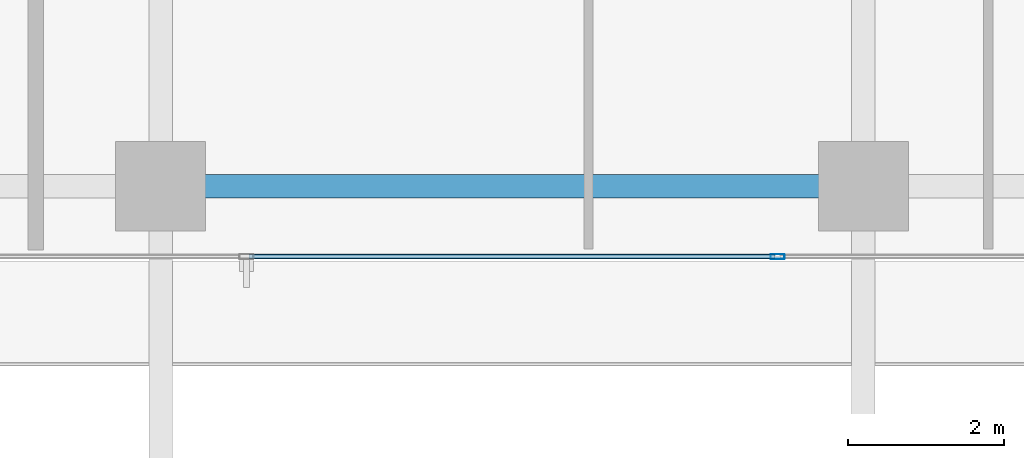
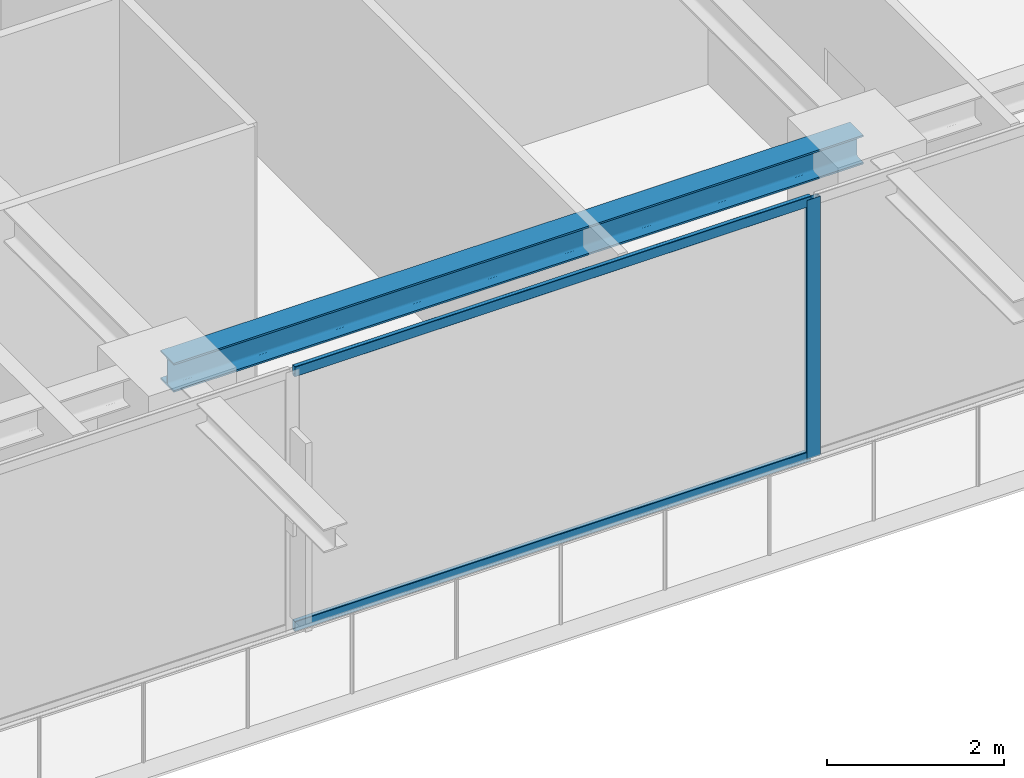
# One storey, part 6 of 40: 3 members, 1 beam, 1 element without a shape of its own.
"""IFC4 building model written with IfcOpenShell, lengths in metres."""

from ifc_helpers import new_model, si_unit, direction, frame, origin, origin_2d, place, context, subcontext, project, spatial, hollow_rectangle, i_section, extrude, source, transform, mapped, material, layer, layer_set, material_profile, profile_set, type_object, element, aggregate, save


model = new_model("IFC4")

# Units and contexts
model_context = context("Model", 3, precision=1e-05, world=origin(), true_north=direction((0.0, 1.0)))
body_context = subcontext(model_context, "Body", "Model", "MODEL_VIEW")
ifc_project = project(units=[si_unit("LENGTHUNIT", "METRE"), si_unit("AREAUNIT", "SQUARE_METRE"), si_unit("VOLUMEUNIT", "CUBIC_METRE"), si_unit("PLANEANGLEUNIT", "RADIAN"), si_unit("MASSUNIT", "GRAM", prefix="KILO")], contexts=[model_context])

# Site, building, storey
site_placement = place(None, origin())
site = spatial("IfcSite", under=ifc_project, at=site_placement, CompositionType="ELEMENT")
building_placement = place(site_placement, origin())
building = spatial("IfcBuilding", under=site, at=building_placement, Name="Serunith Strait Residences", CompositionType="ELEMENT")
storey_placement = place(building_placement, frame((0.0, 0.0, 252.800048828125)))
storey = spatial("IfcBuildingStorey", under=building, at=storey_placement, Name="L63", CompositionType="ELEMENT", Elevation=252.800048828125)

# Beam
ifc_material_1 = material(Name="Steel S355J2", Category="steel")
ifc_material_profile_1 = material_profile(ifc_material_1, i_section(OverallWidth=0.300048828125, OverallDepth=0.39990234375, WebThickness=0.013427734375, FlangeThickness=0.02392578125, FilletRadius=0.027099609375, at=origin_2d()), Name="HEB 400")
ifc_profile_set_1 = profile_set([ifc_material_profile_1], Name="Steel S355J2")
beam_type = type_object("IfcBeamType", Name="BM-HEB400", PredefinedType="BEAM", material=ifc_profile_set_1)
shared_shape_1 = source(origin(), body_context, "Body", "SweptSolid", [
    extrude(i_section(OverallWidth=0.300048828125, OverallDepth=0.39990234375, WebThickness=0.013427734375, FlangeThickness=0.02392578125, FilletRadius=0.027099609375, at=origin_2d()), origin(), (0.0, 0.0, 1.0), 9.0),
])
beam_placement = place(storey_placement, frame((27.89990234375, 2.10009765625, 3.386962890625), z_axis=(1.0, 0.0, 0.0), x_axis=(0.0, 1.0, 0.0)))
element("IfcBeam", 1, at=beam_placement, inside=storey, type_object=beam_type, Name="L63 Perimeter Ring Beam 02", PredefinedType="BEAM", context=body_context, shape_type="MappedRepresentation", body=[
    mapped(shared_shape_1, transform((0.0, 0.0, 0.0), scale=1.0)),
])

# Curtain wall, members
ifc_material_2 = material(Name="Pale-Champagne Anodised Aluminium", Category="aluminium")
ifc_layer = layer(ifc_material_2, 0.199951171875, Name="Pale-Champagne Anodised Aluminium")
ifc_layer_set = layer_set([ifc_layer], Name="Pale-Champagne Anodised Aluminium")
curtain_wall_type = type_object("IfcCurtainWallType", Name="CW-SYS4", PredefinedType="NOTDEFINED", material=ifc_layer_set)
curtain_wall_placement = place(storey_placement, origin())
curtain_wall = element("IfcCurtainWall", 2, at=curtain_wall_placement, inside=storey, type_object=curtain_wall_type, Name="L63 S Unitised Fritted Curtain Wall", PredefinedType="NOTDEFINED")
ifc_material_profile_2 = material_profile(ifc_material_2, hollow_rectangle(XDim=0.06494140625, YDim=0.179931640625, WallThickness=0.00341796875, InnerFilletRadius=0.00537109375, OuterFilletRadius=0.0087890625, at=origin_2d()), Name="ALU 180x65x3.5")
ifc_profile_set_2 = profile_set([ifc_material_profile_2], Name="Pale-Champagne Anodised Aluminium")
member_type_1 = type_object("IfcMemberType", Name="CW-SYS4-MULL", PredefinedType="MULLION", material=ifc_profile_set_2)
shared_shape_2 = source(origin(), body_context, "Body", "SweptSolid", [
    extrude(hollow_rectangle(XDim=0.06494140625, YDim=0.179931640625, WallThickness=0.00341796875, InnerFilletRadius=0.00537109375, OuterFilletRadius=0.0087890625, at=origin_2d()), origin(), (0.0, 0.0, 1.0), 3.574951171875),
])
member_1_placement = place(storey_placement, frame((35.800048828125, 1.199951171875, 0.0), z_axis=(0.0, 0.0, 1.0), x_axis=(0.0, 1.0, 0.0)))
member_1 = element("IfcMember", 3, at=member_1_placement, type_object=member_type_1, Name="CW-4 mullion 4", PredefinedType="MULLION", context=body_context, shape_type="MappedRepresentation", body=[
    mapped(shared_shape_2, transform((0.0, 0.0, 0.0), scale=1.0)),
])
ifc_material_profile_3 = material_profile(ifc_material_2, hollow_rectangle(XDim=0.06005859375, YDim=0.139892578125, WallThickness=0.00341796875, InnerFilletRadius=0.00537109375, OuterFilletRadius=0.0087890625, at=origin_2d()), Name="ALU 140x60x3.5")
ifc_profile_set_3 = profile_set([ifc_material_profile_3], Name="Pale-Champagne Anodised Aluminium")
member_type_2 = type_object("IfcMemberType", Name="CW-SYS4-TRAN", PredefinedType="USERDEFINED", material=ifc_profile_set_3)
shared_shape_3 = source(origin(), body_context, "Body", "SweptSolid", [
    extrude(hollow_rectangle(XDim=0.06005859375, YDim=0.139892578125, WallThickness=0.00341796875, InnerFilletRadius=0.00537109375, OuterFilletRadius=0.0087890625, at=origin_2d()), origin(), (0.0, 0.0, 1.0), 6.735107421875),
])
member_2_placement = place(storey_placement, frame((29.032470703125, 1.199951171875, 0.030029296875), z_axis=(1.0, 0.0, 0.0), x_axis=(0.0, 1.0, 0.0)))
member_2 = element("IfcMember", 4, at=member_2_placement, type_object=member_type_2, Name="CW-4 transom 3.1", ObjectType="TRANSOM", PredefinedType="USERDEFINED", context=body_context, shape_type="MappedRepresentation", body=[
    mapped(shared_shape_3, transform((0.0, 0.0, 0.0), scale=1.0)),
])
member_3_placement = place(storey_placement, frame((29.032470703125, 1.199951171875, 3.544921875), z_axis=(1.0, 0.0, 0.0), x_axis=(0.0, 1.0, 0.0)))
member_3 = element("IfcMember", 5, at=member_3_placement, type_object=member_type_2, Name="CW-4 transom 3.2", ObjectType="TRANSOM", PredefinedType="USERDEFINED", context=body_context, shape_type="MappedRepresentation", body=[
    mapped(shared_shape_3, transform((0.0, 0.0, 0.0), scale=1.0)),
])
aggregate(curtain_wall, [member_1, member_2, member_3])

save(model, "model.ifc")
